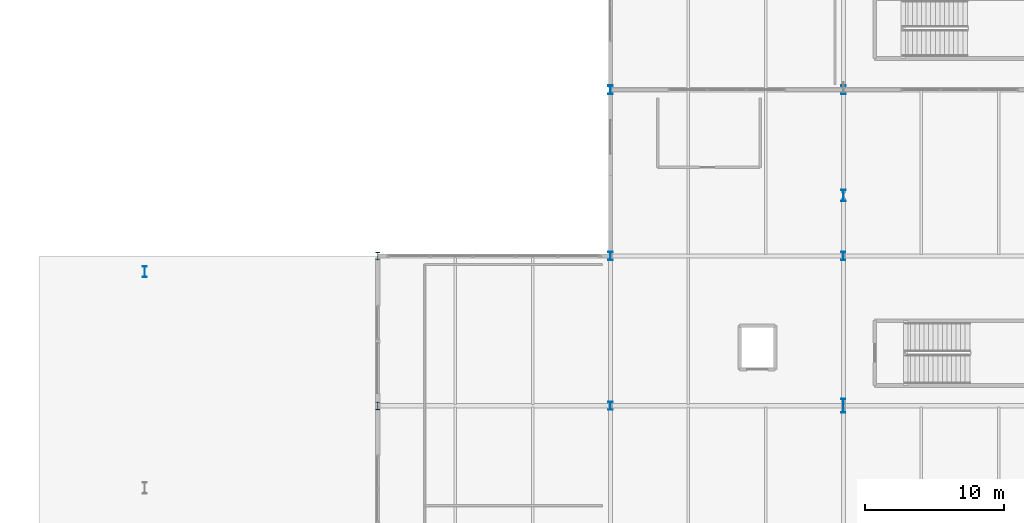
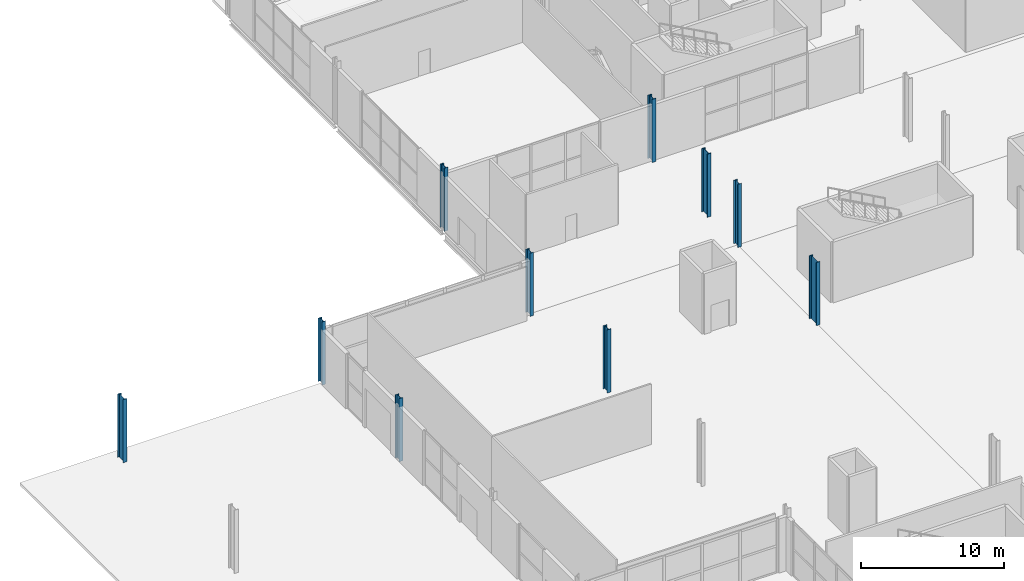
# One storey, part 8 of 87: 10 columns.
"""IFC4 building model written with IfcOpenShell, lengths in metres."""

from ifc_helpers import new_model, si_unit, direction, frame, origin, origin_2d, place, context, subcontext, project, spatial, i_section, extrude, material, material_profile, profile_set, type_object, element, save


model = new_model("IFC4")

# Units and contexts
model_context = context("Model", 3, precision=1e-05, world=origin(), true_north=direction((0.0, 1.0)))
body_context = subcontext(model_context, "Body", "Model", "MODEL_VIEW")
ifc_project = project(units=[si_unit("LENGTHUNIT", "METRE"), si_unit("AREAUNIT", "SQUARE_METRE"), si_unit("VOLUMEUNIT", "CUBIC_METRE"), si_unit("PLANEANGLEUNIT", "RADIAN"), si_unit("MASSUNIT", "GRAM", prefix="KILO")], contexts=[model_context])

# Site, building, storey
site_placement = place(None, origin())
site = spatial("IfcSite", under=ifc_project, at=site_placement, CompositionType="ELEMENT")
building_placement = place(site_placement, origin())
building = spatial("IfcBuilding", under=site, at=building_placement, Name="Kimbaza Rail Terminus", CompositionType="ELEMENT")
storey_placement = place(building_placement, origin())
storey = spatial("IfcBuildingStorey", under=building, at=storey_placement, Name="L00", CompositionType="ELEMENT", Elevation=0.0)

# Columns
ifc_material_1 = material(Name="Steel S355", Category="steel")
ifc_material_profile_1 = material_profile(ifc_material_1, i_section(OverallWidth=0.300048828125, OverallDepth=0.550048828125, WebThickness=0.014892578125, FlangeThickness=0.029052734375, FilletRadius=0.027099609375, at=origin_2d()), Name="HEB 550")
ifc_profile_set_1 = profile_set([ifc_material_profile_1], Name="Steel S355")
column_type_1 = type_object("IfcColumnType", Name="STR-COL-HEB550", PredefinedType="COLUMN", material=ifc_profile_set_1)
for number, where, z_axis, x_axis, name in (
    (1, (38.39990234375, 80.199951171875, 0.0), (0.0, 0.0, 1.0), (1.0, 0.0, 0.0), "Concourse Outer Wing Column L00"),
    (2, (38.39990234375, 91.0, 0.0), (0.0, 0.0, 1.0), (1.0, 0.0, 0.0), "Concourse Outer Wing Column L00"),
):
    element("IfcColumn", number, at=place(storey_placement, frame(where, z_axis=z_axis, x_axis=x_axis)), inside=storey, type_object=column_type_1, Name=name, PredefinedType="COLUMN", context=body_context, shape_type="SweptSolid", body=[
        extrude(i_section(OverallWidth=0.300048828125, OverallDepth=0.550048828125, WebThickness=0.014892578125, FlangeThickness=0.029052734375, FilletRadius=0.027099609375, at=origin_2d()), origin(), (0.0, 0.0, 1.0), 5.39990234375),
    ])
ifc_material_2 = material(Name="Steel S355", Category="steel")
ifc_material_profile_2 = material_profile(ifc_material_2, i_section(OverallWidth=0.300048828125, OverallDepth=0.60009765625, WebThickness=0.015380859375, FlangeThickness=0.030029296875, FilletRadius=0.027099609375, at=origin_2d()), Name="HEB 600")
ifc_profile_set_2 = profile_set([ifc_material_profile_2], Name="Steel S355")
column_type_2 = type_object("IfcColumnType", Name="STR-COL-HEB600", PredefinedType="COLUMN", material=ifc_profile_set_2)
for number, where, z_axis, x_axis, name in (
    (3, (55.199951171875, 80.199951171875, 0.0), (0.0, 0.0, 1.0), (1.0, 0.0, 0.0), "North Transfer Pier L00 (0,0)"),
    (4, (55.199951171875, 91.0, 0.0), (0.0, 0.0, 1.0), (1.0, 0.0, 0.0), "North Transfer Pier L00 (0,1)"),
    (5, (72.0, 91.0, 0.0), (0.0, 0.0, 1.0), (1.0, 0.0, 0.0), "North Transfer Pier L00 (1,1)"),
):
    element("IfcColumn", number, at=place(storey_placement, frame(where, z_axis=z_axis, x_axis=x_axis)), inside=storey, type_object=column_type_2, Name=name, PredefinedType="COLUMN", context=body_context, shape_type="SweptSolid", body=[
        extrude(i_section(OverallWidth=0.300048828125, OverallDepth=0.60009765625, WebThickness=0.015380859375, FlangeThickness=0.030029296875, FilletRadius=0.027099609375, at=origin_2d()), origin(), (0.0, 0.0, 1.0), 5.39990234375),
    ])
ifc_material_3 = material(Name="Steel S355", Category="steel")
ifc_material_profile_3 = material_profile(ifc_material_3, i_section(OverallWidth=0.302001953125, OverallDepth=1.008056640625, WebThickness=0.02099609375, FlangeThickness=0.0400390625, FilletRadius=0.030029296875, at=origin_2d()), Name="HEM 1000")
ifc_profile_set_3 = profile_set([ifc_material_profile_3], Name="Steel S355")
column_type_3 = type_object("IfcColumnType", Name="STR-COL-HEM1000", PredefinedType="COLUMN", material=ifc_profile_set_3)
column_placement = place(storey_placement, frame((72.0, 80.199951171875, 0.0), z_axis=(0.0, 0.0, 1.0), x_axis=(1.0, 0.0, 0.0)))
element("IfcColumn", 6, at=column_placement, inside=storey, type_object=column_type_3, Name="North Transfer Pier L00 (1,0)", PredefinedType="COLUMN", context=body_context, shape_type="SweptSolid", body=[
    extrude(i_section(OverallWidth=0.302001953125, OverallDepth=1.008056640625, WebThickness=0.02099609375, FlangeThickness=0.0400390625, FilletRadius=0.030029296875, at=origin_2d()), origin(), (0.0, 0.0, 1.0), 5.39990234375),
])
ifc_material_4 = material(Name="Steel S355", Category="steel")
ifc_material_profile_4 = material_profile(ifc_material_4, i_section(OverallWidth=0.304931640625, OverallDepth=0.6201171875, WebThickness=0.02099609375, FlangeThickness=0.0400390625, FilletRadius=0.027099609375, at=origin_2d()), Name="HEM 600")
ifc_profile_set_4 = profile_set([ifc_material_profile_4], Name="Steel S355")
column_type_4 = type_object("IfcColumnType", Name="STR-COL-HEM600", PredefinedType="COLUMN", material=ifc_profile_set_4)
for number, where, z_axis, x_axis, name in (
    (7, (55.199951171875, 103.0, 0.0), (0.0, 0.0, 1.0), (1.0, 0.0, 0.0), "Operations Column L00 (0,0)"),
    (8, (72.0, 103.0, 0.0), (0.0, 0.0, 1.0), (1.0, 0.0, 0.0), "Operations Column L00 (1,0)"),
):
    element("IfcColumn", number, at=place(storey_placement, frame(where, z_axis=z_axis, x_axis=x_axis)), inside=storey, type_object=column_type_4, Name=name, PredefinedType="COLUMN", context=body_context, shape_type="SweptSolid", body=[
        extrude(i_section(OverallWidth=0.304931640625, OverallDepth=0.6201171875, WebThickness=0.02099609375, FlangeThickness=0.0400390625, FilletRadius=0.027099609375, at=origin_2d()), origin(), (0.0, 0.0, 1.0), 5.39990234375),
    ])
ifc_material_5 = material(Name="Steel S355", Category="steel")
ifc_material_profile_5 = material_profile(ifc_material_5, i_section(OverallWidth=0.302978515625, OverallDepth=0.81396484375, WebThickness=0.02099609375, FlangeThickness=0.0400390625, FilletRadius=0.030029296875, at=origin_2d()), Name="HEM 800")
ifc_profile_set_5 = profile_set([ifc_material_profile_5], Name="Steel S355")
column_type_5 = type_object("IfcColumnType", Name="STR-COL-HEM800", PredefinedType="COLUMN", material=ifc_profile_set_5)
for number, where, z_axis, x_axis, name in (
    (9, (21.60009765625, 89.8759765625, 0.0), (0.0, 0.0, 1.0), (1.0, 0.0, 0.0), "Viaduct Pier Column L00 VP-01"),
    (10, (72.0, 95.375732421875, 0.0), (0.0, 0.0, 1.0), (1.0, 0.0, 0.0), "North Vault Springing Pier L00 VP-04"),
):
    element("IfcColumn", number, at=place(storey_placement, frame(where, z_axis=z_axis, x_axis=x_axis)), inside=storey, type_object=column_type_5, Name=name, PredefinedType="COLUMN", context=body_context, shape_type="SweptSolid", body=[
        extrude(i_section(OverallWidth=0.302978515625, OverallDepth=0.81396484375, WebThickness=0.02099609375, FlangeThickness=0.0400390625, FilletRadius=0.030029296875, at=origin_2d()), origin(), (0.0, 0.0, 1.0), 5.39990234375),
    ])

save(model, "model.ifc")
